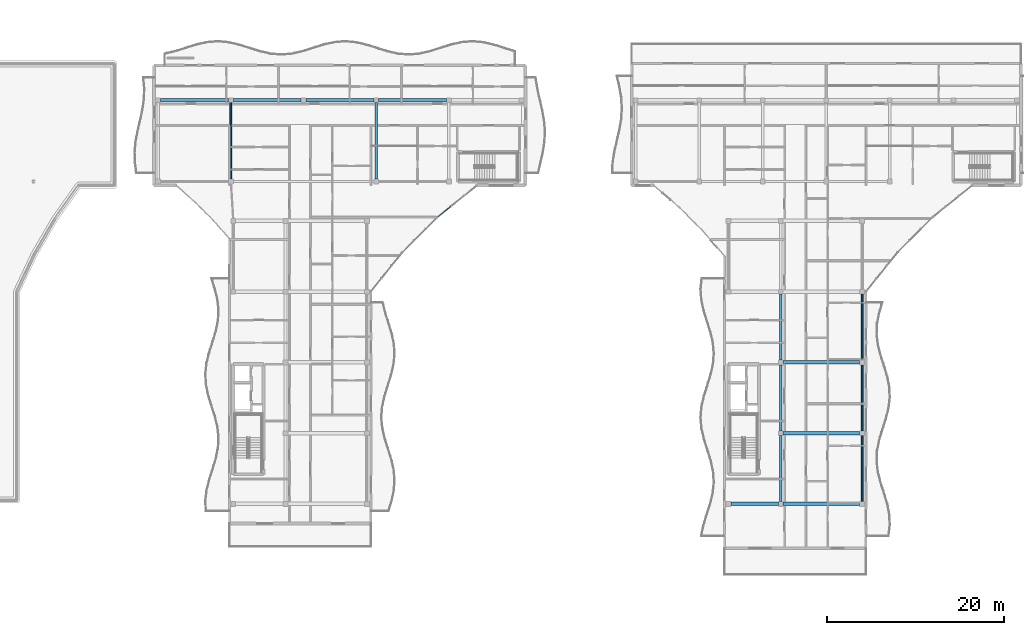
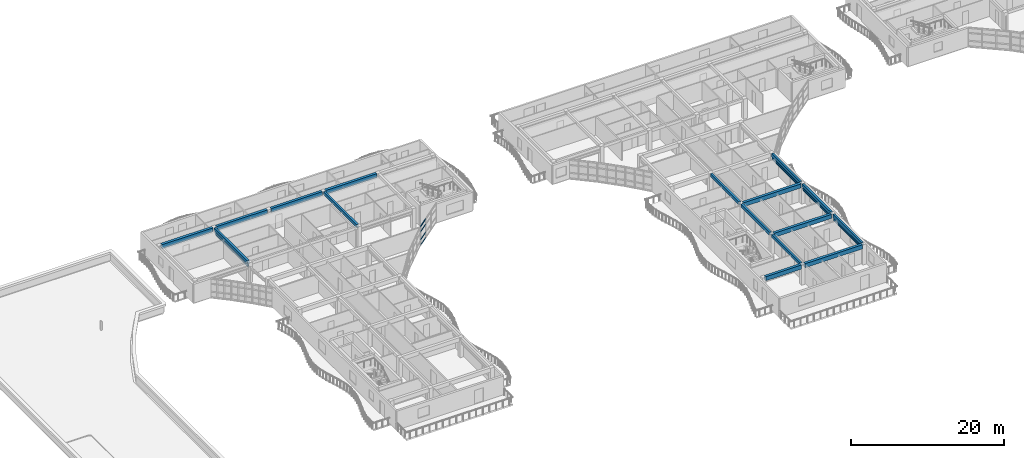
# One storey, part 9 of 54: 16 beams, 12 members, 1 element without a shape of its own.
"""IFC4 building model written with IfcOpenShell, lengths in metres."""

from ifc_helpers import new_model, si_unit, direction, frame, origin, origin_2d, place, context, subcontext, project, spatial, rectangle, hollow_rectangle, extrude, material, layer, layer_set, material_profile, profile_set, type_object, element, aggregate, save


model = new_model("IFC4")

# Units and contexts
model_context = context("Model", 3, precision=1e-05, world=origin(), true_north=direction((0.0, 1.0)))
body_context = subcontext(model_context, "Body", "Model", "MODEL_VIEW")
ifc_project = project(units=[si_unit("LENGTHUNIT", "METRE"), si_unit("AREAUNIT", "SQUARE_METRE"), si_unit("VOLUMEUNIT", "CUBIC_METRE"), si_unit("PLANEANGLEUNIT", "RADIAN"), si_unit("MASSUNIT", "GRAM", prefix="KILO")], contexts=[model_context])

# Site, building, storey
site_placement = place(None, origin())
site = spatial("IfcSite", under=ifc_project, at=site_placement, CompositionType="ELEMENT")
building_placement = place(site_placement, origin())
building = spatial("IfcBuilding", under=site, at=building_placement, Name="Keldmere Railside Commons", CompositionType="ELEMENT")
storey_placement = place(building_placement, frame((0.0, 0.0, 26.56005859375)))
storey = spatial("IfcBuildingStorey", under=building, at=storey_placement, Name="L08", CompositionType="ELEMENT", Elevation=26.56005859375)

# Members
ifc_material_1 = material(Name="Steel F-36 (S355)", Category="steel")
ifc_material_profile_1 = material_profile(ifc_material_1, hollow_rectangle(XDim=0.14990234375, YDim=0.25, WallThickness=0.010009765625, at=origin_2d()), Name="RHS-250x150x10")
ifc_profile_set_1 = profile_set([ifc_material_profile_1], Name="Steel F-36 (S355)")
member_type_1 = type_object("IfcMemberType", Name="Balcony Continuous Planted Trough RHS250x150", PredefinedType="CHORD", material=ifc_profile_set_1)
member_1_placement = place(storey_placement, frame((48.169921875, 100.72509765625, 2.4150390625), z_axis=(0.0, 1.0, 0.0), x_axis=(-1.0, 0.0, 0.0)))
element("IfcMember", 1, at=member_1_placement, inside=storey, type_object=member_type_1, Name="PLT-1 MEM-BPLT-0877", PredefinedType="CHORD", context=body_context, shape_type="SweptSolid", body=[
    extrude(hollow_rectangle(XDim=0.14990234375, YDim=0.25, WallThickness=0.010009765625, at=origin_2d()), origin(), (0.0, 0.0, 1.0), 8.64990234375),
])
for number, where, z_axis, x_axis, name in (
    (2, (119.550048828125, 64.27490234375, 2.4150390625), (0.0, 1.0, 0.0), (-1.0, 0.0, 0.0), "PLT-1 MEM-BPLT-0891"),
    (3, (119.550048828125, 72.27490234375, 2.4150390625), (0.0, 1.0, 0.0), (-1.0, 0.0, 0.0), "PLT-1 MEM-BPLT-0893"),
    (4, (119.550048828125, 80.27490234375, 2.4150390625), (0.0, 1.0, 0.0), (-1.0, 0.0, 0.0), "PLT-1 MEM-BPLT-0895"),
):
    element("IfcMember", number, at=place(storey_placement, frame(where, z_axis=z_axis, x_axis=x_axis)), inside=storey, type_object=member_type_1, Name=name, PredefinedType="CHORD", context=body_context, shape_type="SweptSolid", body=[
        extrude(hollow_rectangle(XDim=0.14990234375, YDim=0.25, WallThickness=0.010009765625, at=origin_2d()), origin(), (0.0, 0.0, 1.0), 7.4501953125),
    ])

# Beams
ifc_material_2 = material(Name="Concrete H-30 (C30/37)", Category="concrete")
ifc_material_profile_2 = material_profile(ifc_material_2, rectangle(XDim=0.39990234375, YDim=0.64990234375, at=origin_2d()), Name="RC-400x650")
ifc_profile_set_2 = profile_set([ifc_material_profile_2], Name="Concrete H-30 (C30/37)")
beam_type_1 = type_object("IfcBeamType", Name="Residential Spine RC Girder 400x650", PredefinedType="BEAM", material=ifc_profile_set_2)
beam_placement = place(storey_placement, frame((104.72509765625, 64.0, 2.875), z_axis=(1.0, 0.0, 0.0), x_axis=(0.0, 1.0, 0.0)))
element("IfcBeam", 5, at=beam_placement, inside=storey, type_object=beam_type_1, Name="BG-3 BM-L08-2168", PredefinedType="BEAM", context=body_context, shape_type="SweptSolid", body=[
    extrude(rectangle(XDim=0.39990234375, YDim=0.64990234375, at=origin_2d()), origin(), (0.0, 0.0, 1.0), 5.349853515625),
])
for number, where, z_axis, x_axis, name in (
    (6, (110.625, 64.0, 2.875), (1.0, 0.0, 0.0), (0.0, 1.0, 0.0), "BG-3 BM-L08-2169"),
    (7, (110.625, 72.0, 2.875), (1.0, 0.0, 0.0), (0.0, 1.0, 0.0), "BG-3 BM-L08-2173"),
    (8, (110.625, 80.0, 2.875), (1.0, 0.0, 0.0), (0.0, 1.0, 0.0), "BG-3 BM-L08-2176"),
):
    element("IfcBeam", number, at=place(storey_placement, frame(where, z_axis=z_axis, x_axis=x_axis)), inside=storey, type_object=beam_type_1, Name=name, PredefinedType="BEAM", context=body_context, shape_type="SweptSolid", body=[
        extrude(rectangle(XDim=0.39990234375, YDim=0.64990234375, at=origin_2d()), origin(), (0.0, 0.0, 1.0), 8.64990234375),
    ])
for number, where, z_axis, x_axis, name in (
    (9, (40.22509765625, 109.64990234375, 2.875), (1.0, 0.0, 0.0), (0.0, 1.0, 0.0), "BG-3 BM-L08-2199"),
    (10, (48.445068359375, 109.64990234375, 2.875), (1.0, 0.0, 0.0), (0.0, 1.0, 0.0), "BG-3 BM-L08-2200"),
    (11, (56.6650390625, 109.64990234375, 2.875), (1.0, 0.0, 0.0), (0.0, 1.0, 0.0), "BG-3 BM-L08-2201"),
    (12, (64.885009765625, 109.64990234375, 2.875), (1.0, 0.0, 0.0), (0.0, 1.0, 0.0), "BG-3 BM-L08-2202"),
):
    element("IfcBeam", number, at=place(storey_placement, frame(where, z_axis=z_axis, x_axis=x_axis)), inside=storey, type_object=beam_type_1, Name=name, PredefinedType="BEAM", context=body_context, shape_type="SweptSolid", body=[
        extrude(rectangle(XDim=0.39990234375, YDim=0.64990234375, at=origin_2d()), origin(), (0.0, 0.0, 1.0), 7.669921875),
    ])
ifc_material_profile_3 = material_profile(ifc_material_2, rectangle(XDim=0.300048828125, YDim=0.5, at=origin_2d()), Name="RC-300x500")
ifc_profile_set_3 = profile_set([ifc_material_profile_3], Name="Concrete H-30 (C30/37)")
beam_type_2 = type_object("IfcBeamType", Name="Secondary Frame RC Beam 300x500", PredefinedType="BEAM", material=ifc_profile_set_3)
for number, where, z_axis, x_axis, name in (
    (13, (48.169921875, 100.72509765625, 2.949951171875), (0.0, 1.0, 0.0), (-1.0, 0.0, 0.0), "BG-5 BM-L08-2221"),
    (14, (64.610107421875, 100.72509765625, 2.949951171875), (0.0, 1.0, 0.0), (-1.0, 0.0, 0.0), "BG-5 BM-L08-2231"),
):
    element("IfcBeam", number, at=place(storey_placement, frame(where, z_axis=z_axis, x_axis=x_axis)), inside=storey, type_object=beam_type_2, Name=name, PredefinedType="BEAM", context=body_context, shape_type="SweptSolid", body=[
        extrude(rectangle(XDim=0.300048828125, YDim=0.5, at=origin_2d()), origin(), (0.0, 0.0, 1.0), 8.64990234375),
    ])
for number, where, z_axis, x_axis, name in (
    (15, (110.35009765625, 64.27490234375, 2.949951171875), (0.0, 1.0, 0.0), (-1.0, 0.0, 0.0), "BG-5 BM-L08-2237"),
    (16, (110.35009765625, 72.27490234375, 2.949951171875), (0.0, 1.0, 0.0), (-1.0, 0.0, 0.0), "BG-5 BM-L08-2238"),
    (17, (110.35009765625, 80.27490234375, 2.949951171875), (0.0, 1.0, 0.0), (-1.0, 0.0, 0.0), "BG-5 BM-L08-2239"),
    (18, (119.550048828125, 64.27490234375, 2.949951171875), (0.0, 1.0, 0.0), (-1.0, 0.0, 0.0), "BG-5 BM-L08-2242"),
    (19, (119.550048828125, 72.27490234375, 2.949951171875), (0.0, 1.0, 0.0), (-1.0, 0.0, 0.0), "BG-5 BM-L08-2243"),
    (20, (119.550048828125, 80.27490234375, 2.949951171875), (0.0, 1.0, 0.0), (-1.0, 0.0, 0.0), "BG-5 BM-L08-2244"),
):
    element("IfcBeam", number, at=place(storey_placement, frame(where, z_axis=z_axis, x_axis=x_axis)), inside=storey, type_object=beam_type_2, Name=name, PredefinedType="BEAM", context=body_context, shape_type="SweptSolid", body=[
        extrude(rectangle(XDim=0.300048828125, YDim=0.5, at=origin_2d()), origin(), (0.0, 0.0, 1.0), 7.4501953125),
    ])

# Members
ifc_material_profile_4 = material_profile(ifc_material_1, hollow_rectangle(XDim=0.10009765625, YDim=0.159912109375, WallThickness=0.008056640625, at=origin_2d()), Name="RHS-160x100x8")
ifc_profile_set_4 = profile_set([ifc_material_profile_4], Name="Steel F-36 (S355)")
member_type_2 = type_object("IfcMemberType", Name="Solar Brise-Soleil Louvre Fin RHS160x100", PredefinedType="STRUT", material=ifc_profile_set_4)
member_2_placement = place(storey_placement, frame((48.169921875, 100.72509765625, 2.199951171875), z_axis=(0.0, 1.0, 0.0), x_axis=(-1.0, 0.0, 0.0)))
element("IfcMember", 21, at=member_2_placement, inside=storey, type_object=member_type_2, Name="BSF-1 MEM-BSF-0878", PredefinedType="STRUT", context=body_context, shape_type="SweptSolid", body=[
    extrude(hollow_rectangle(XDim=0.10009765625, YDim=0.159912109375, WallThickness=0.008056640625, at=origin_2d()), origin(), (0.0, 0.0, 1.0), 8.64990234375),
])
for number, where, z_axis, x_axis, name in (
    (22, (119.550048828125, 64.27490234375, 2.199951171875), (0.0, 1.0, 0.0), (-1.0, 0.0, 0.0), "BSF-1 MEM-BSF-0892"),
    (23, (119.550048828125, 72.27490234375, 2.199951171875), (0.0, 1.0, 0.0), (-1.0, 0.0, 0.0), "BSF-1 MEM-BSF-0894"),
    (24, (119.550048828125, 80.27490234375, 2.199951171875), (0.0, 1.0, 0.0), (-1.0, 0.0, 0.0), "BSF-1 MEM-BSF-0896"),
):
    element("IfcMember", number, at=place(storey_placement, frame(where, z_axis=z_axis, x_axis=x_axis)), inside=storey, type_object=member_type_2, Name=name, PredefinedType="STRUT", context=body_context, shape_type="SweptSolid", body=[
        extrude(hollow_rectangle(XDim=0.10009765625, YDim=0.159912109375, WallThickness=0.008056640625, at=origin_2d()), origin(), (0.0, 0.0, 1.0), 7.4501953125),
    ])

# Curtain wall, members
ifc_material_3 = material(Name="Thermally Broken Aluminium", Category="aluminium")
ifc_layer = layer(ifc_material_3, 0.159912109375, Name="Court Chord Wintergarden CW 4800x2850")
ifc_layer_set = layer_set([ifc_layer], Name="Thermally Broken Aluminium")
curtain_wall_type = type_object("IfcCurtainWallType", Name="Court Chord Wintergarden CW 4800x2850", PredefinedType="NOTDEFINED", material=ifc_layer_set)
curtain_wall_placement = place(storey_placement, origin())
curtain_wall = element("IfcCurtainWall", 25, at=curtain_wall_placement, inside=storey, type_object=curtain_wall_type, Name="CW-12 CW-L08-075", PredefinedType="NOTDEFINED")
ifc_material_profile_5 = material_profile(ifc_material_3, hollow_rectangle(XDim=0.06494140625, YDim=0.1201171875, WallThickness=0.00390625, at=origin_2d()), Name="ALU-TRAN-65x120")
ifc_profile_set_5 = profile_set([ifc_material_profile_5], Name="Thermally Broken Aluminium")
member_type_3 = type_object("IfcMemberType", Name="Unitised Curtain Wall Transom 65x120", PredefinedType="USERDEFINED", material=ifc_profile_set_5)
member_3_placement = place(storey_placement, frame((73.021240234375, 97.6103515625, 0.032470703125), z_axis=(-0.779979331565, -0.625805275091, 0.0), x_axis=(0.625805275091, -0.779979331565, 0.0)))
member_3 = element("IfcMember", 26, at=member_3_placement, type_object=member_type_3, Name="CW-12 transom 3.1", ObjectType="TRANSOM", PredefinedType="USERDEFINED", context=body_context, shape_type="SweptSolid", body=[
    extrude(hollow_rectangle(XDim=0.06494140625, YDim=0.1201171875, WallThickness=0.00390625, at=origin_2d()), origin(), (0.0, 0.0, 1.0), 1.795654296875),
])
member_4_placement = place(storey_placement, frame((73.021240234375, 97.6103515625, 0.89990234375), z_axis=(-0.779979331565, -0.625805275091, 0.0), x_axis=(0.625805275091, -0.779979331565, 0.0)))
member_4 = element("IfcMember", 27, at=member_4_placement, type_object=member_type_3, Name="CW-12 transom 3.2", ObjectType="TRANSOM", PredefinedType="USERDEFINED", context=body_context, shape_type="SweptSolid", body=[
    extrude(hollow_rectangle(XDim=0.06494140625, YDim=0.1201171875, WallThickness=0.00390625, at=origin_2d()), origin(), (0.0, 0.0, 1.0), 1.795654296875),
])
member_5_placement = place(storey_placement, frame((73.021240234375, 97.6103515625, 2.14990234375), z_axis=(-0.779979331565, -0.625805275091, 0.0), x_axis=(0.625805275091, -0.779979331565, 0.0)))
member_5 = element("IfcMember", 28, at=member_5_placement, type_object=member_type_3, Name="CW-12 transom 3.3", ObjectType="TRANSOM", PredefinedType="USERDEFINED", context=body_context, shape_type="SweptSolid", body=[
    extrude(hollow_rectangle(XDim=0.06494140625, YDim=0.1201171875, WallThickness=0.00390625, at=origin_2d()), origin(), (0.0, 0.0, 1.0), 1.795654296875),
])
member_6_placement = place(storey_placement, frame((73.021240234375, 97.6103515625, 2.947509765625), z_axis=(-0.779979331565, -0.625805275091, 0.0), x_axis=(0.625805275091, -0.779979331565, 0.0)))
member_6 = element("IfcMember", 29, at=member_6_placement, type_object=member_type_3, Name="CW-12 transom 3.4", ObjectType="TRANSOM", PredefinedType="USERDEFINED", context=body_context, shape_type="SweptSolid", body=[
    extrude(hollow_rectangle(XDim=0.06494140625, YDim=0.1201171875, WallThickness=0.00390625, at=origin_2d()), origin(), (0.0, 0.0, 1.0), 1.795654296875),
])
aggregate(curtain_wall, [member_3, member_4, member_5, member_6])

save(model, "model.ifc")
